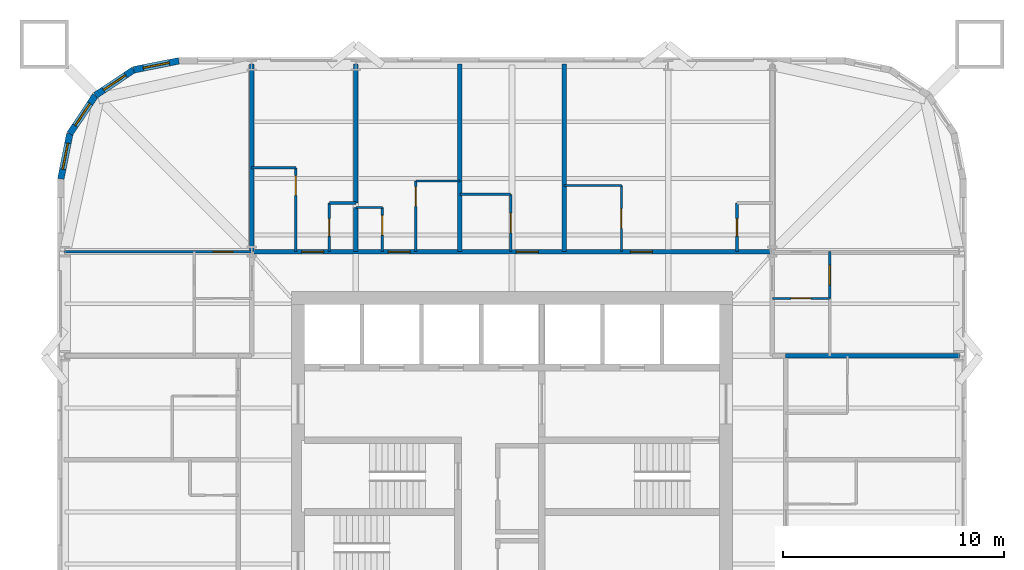
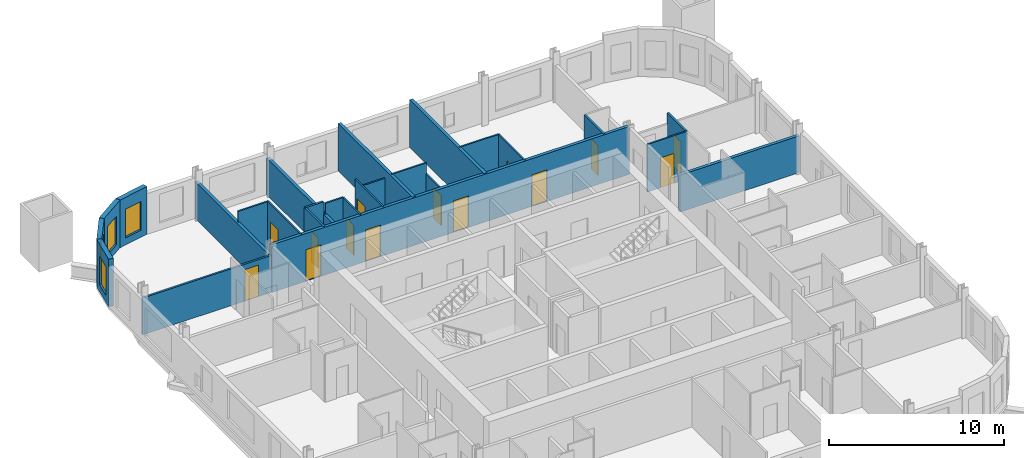
# One storey, part 7 of 9: 27 walls, 14 doors, 4 windows, 18 openings.
"""IFC4 building model written with IfcOpenShell, lengths in metres."""

from ifc_helpers import new_model, si_unit, direction, frame, frame_2d, origin, place, context, subcontext, project, spatial, rectangle, extrude, material, layer, layer_set, type_object, element, fill, save


model = new_model("IFC4")

# Units and contexts
model_context = context("Model", 3, precision=1e-05, world=origin(), true_north=direction((0.0, 1.0)))
body_context = subcontext(model_context, "Body", "Model", "MODEL_VIEW")
ifc_project = project(units=[si_unit("LENGTHUNIT", "METRE"), si_unit("AREAUNIT", "SQUARE_METRE"), si_unit("VOLUMEUNIT", "CUBIC_METRE"), si_unit("PLANEANGLEUNIT", "RADIAN"), si_unit("MASSUNIT", "GRAM", prefix="KILO")], contexts=[model_context])

# Site, building, storey
site_placement = place(None, origin())
site = spatial("IfcSite", under=ifc_project, at=site_placement, CompositionType="ELEMENT")
building_placement = place(site_placement, origin())
building = spatial("IfcBuilding", under=site, at=building_placement, Name="Turquesa Mirador Hotel Tower", CompositionType="ELEMENT")
storey_placement = place(building_placement, frame((0.0, 0.0, 114.39990234375)))
storey = spatial("IfcBuildingStorey", under=building, at=storey_placement, Name="L30", CompositionType="ELEMENT", Elevation=114.39990234375)

# Walls
ifc_material_1 = material(Name="Gypsum board on steel studs", Category="steel")
ifc_layer_1 = layer(ifc_material_1, 0.10009765625)
ifc_layer_set_1 = layer_set([ifc_layer_1], Name="BATHROOM WALL 100")
wall_type_1 = type_object("IfcWallType", Name="BATHROOM WALL 100", PredefinedType="PARTITIONING", material=ifc_layer_set_1)
wall_1_placement = place(storey_placement, frame((47.919921875, 58.800048828125, 0.0), z_axis=(0.0, 0.0, 1.0), x_axis=(1.0, 0.0, 0.0)))
element("IfcWall", 1, at=wall_1_placement, inside=storey, type_object=wall_type_1, Name="Partition L30 024", PredefinedType="PARTITIONING", context=body_context, shape_type="SweptSolid", body=[
    extrude(rectangle(XDim=1.2001953125, YDim=0.10009765625, at=frame_2d((0.60009765625, 0.0))), origin(), (0.0, 0.0, 1.0), 3.330078125),
])
wall_2_placement = place(storey_placement, frame((52.639892578125, 59.39990234375, 0.0), z_axis=(0.0, 0.0, 1.0), x_axis=(1.0, 0.0, 0.0)))
element("IfcWall", 2, at=wall_2_placement, inside=storey, type_object=wall_type_1, Name="Partition L30 027", PredefinedType="PARTITIONING", context=body_context, shape_type="SweptSolid", body=[
    extrude(rectangle(XDim=2.300048828125, YDim=0.10009765625, at=frame_2d((1.14990234375, 0.0))), origin(), (0.0, 0.0, 1.0), 3.330078125),
])
wall_3_placement = place(storey_placement, frame((57.360107421875, 59.800048828125, 0.0), z_axis=(0.0, 0.0, 1.0), x_axis=(1.0, 0.0, 0.0)))
element("IfcWall", 3, at=wall_3_placement, inside=storey, type_object=wall_type_1, Name="Partition L30 028", PredefinedType="PARTITIONING", context=body_context, shape_type="SweptSolid", body=[
    extrude(rectangle(XDim=2.599853515625, YDim=0.10009765625, at=frame_2d((1.2998046875, 0.0))), origin(), (0.0, 0.0, 1.0), 3.330078125),
])
wall_4_placement = place(storey_placement, frame((50.639892578125, 60.0, 0.0), z_axis=(0.0, 0.0, 1.0), x_axis=(1.0, 0.0, 0.0)))
element("IfcWall", 4, at=wall_4_placement, inside=storey, type_object=wall_type_1, Name="Partition L30 029", PredefinedType="PARTITIONING", context=body_context, shape_type="SweptSolid", body=[
    extrude(rectangle(XDim=2.0, YDim=0.10009765625, at=frame_2d((1.0, 0.0))), origin(), (0.0, 0.0, 1.0), 2.730712890625),
])
wall_5_placement = place(storey_placement, frame((43.199951171875, 60.60009765625, 0.0), z_axis=(0.0, 0.0, 1.0), x_axis=(1.0, 0.0, 0.0)))
element("IfcWall", 5, at=wall_5_placement, inside=storey, type_object=wall_type_1, Name="Partition L30 030", PredefinedType="PARTITIONING", context=body_context, shape_type="SweptSolid", body=[
    extrude(rectangle(XDim=2.0, YDim=0.10009765625, at=frame_2d((1.0, 0.0))), origin(), (0.0, 0.0, 1.0), 3.330078125),
])

# Wall, opening, door
wall_6_placement = place(storey_placement, frame((66.800048828125, 54.679931640625, 0.0), z_axis=(0.0, 0.0, 1.0), x_axis=(1.0, 0.0, 0.0)))
wall_6 = element("IfcWall", 6, at=wall_6_placement, inside=storey, type_object=wall_type_1, Name="Partition L30 040", PredefinedType="PARTITIONING", context=body_context, shape_type="SweptSolid", body=[
    extrude(rectangle(XDim=2.599853515625, YDim=0.10009765625, at=frame_2d((1.2998046875, 0.0))), origin(), (0.0, 0.0, 1.0), 3.330078125),
])
opening_1_placement = place(wall_6_placement, frame((0.85009765625, 0.0, 0.0)))
opening_1 = element("IfcOpeningElement", 7, at=opening_1_placement, cuts=wall_6, Name="Opening D02", PredefinedType="OPENING", context=body_context, shape_type="SweptSolid", body=[
    extrude(rectangle(XDim=0.89990234375, YDim=2.10009765625, at=frame_2d((0.449951171875, 1.050048828125))), frame((0.0, 0.06005859375, 0.0), z_axis=(0.0, -1.0, 0.0), x_axis=(1.0, 0.0, 0.0)), (0.0, 0.0, 1.0), 0.1201171875),
])
ifc_material_2 = material(Name="Timber veneered door", Category="wood")
door_type_1 = type_object("IfcDoorType", Name="DOOR 900X2100 EN-SUITE", OperationType="SINGLE_SWING_RIGHT", PredefinedType="DOOR", material=ifc_material_2)
door_1_placement = place(opening_1_placement, origin())
door_1 = element("IfcDoor", 8, at=door_1_placement, inside=storey, type_object=door_type_1, Name="Door 3013B", OperationType="SINGLE_SWING_RIGHT", OverallHeight=2.10009765625, OverallWidth=0.89990234375, PredefinedType="DOOR", context=body_context, shape_type="SweptSolid", body=[
    extrude(rectangle(XDim=0.89990234375, YDim=2.10009765625, at=frame_2d((0.449951171875, 1.050048828125))), frame((0.0, 0.02490234375, 0.0), z_axis=(0.0, -1.0, 0.0), x_axis=(1.0, 0.0, 0.0)), (0.0, 0.0, 1.0), 0.050048828125),
])
fill(opening_1, door_1)

wall_7_placement = place(storey_placement, frame((54.93994140625, 56.800048828125, 0.0), z_axis=(0.0, 0.0, 1.0), x_axis=(0.0, 1.0, 0.0)))
wall_7 = element("IfcWall", 9, at=wall_7_placement, inside=storey, type_object=wall_type_1, Name="Partition L30 041", PredefinedType="PARTITIONING", context=body_context, shape_type="SweptSolid", body=[
    extrude(rectangle(XDim=2.599853515625, YDim=0.10009765625, at=frame_2d((1.2998046875, 0.0))), origin(), (0.0, 0.0, 1.0), 2.5732421875),
])
opening_2_placement = place(wall_7_placement, frame((0.85009765625, 0.0, 0.0)))
opening_2 = element("IfcOpeningElement", 10, at=opening_2_placement, cuts=wall_7, Name="Opening D02", PredefinedType="OPENING", context=body_context, shape_type="SweptSolid", body=[
    extrude(rectangle(XDim=0.89990234375, YDim=2.10009765625, at=frame_2d((0.449951171875, 1.050048828125))), frame((0.0, 0.06005859375, 0.0), z_axis=(0.0, -1.0, 0.0), x_axis=(1.0, 0.0, 0.0)), (0.0, 0.0, 1.0), 0.1201171875),
])
door_2_placement = place(opening_2_placement, origin())
door_2 = element("IfcDoor", 11, at=door_2_placement, inside=storey, type_object=door_type_1, Name="Door 3003B", OperationType="SINGLE_SWING_RIGHT", OverallHeight=2.10009765625, OverallWidth=0.89990234375, PredefinedType="DOOR", context=body_context, shape_type="SweptSolid", body=[
    extrude(rectangle(XDim=0.89990234375, YDim=2.10009765625, at=frame_2d((0.449951171875, 1.050048828125))), frame((0.0, 0.02490234375, 0.0), z_axis=(0.0, -1.0, 0.0), x_axis=(1.0, 0.0, 0.0)), (0.0, 0.0, 1.0), 0.050048828125),
])
fill(opening_2, door_2)

wall_8_placement = place(storey_placement, frame((50.639892578125, 56.800048828125, 0.0), z_axis=(0.0, 0.0, 1.0), x_axis=(0.0, 1.0, 0.0)))
wall_8 = element("IfcWall", 12, at=wall_8_placement, inside=storey, type_object=wall_type_1, Name="Partition L30 055", PredefinedType="PARTITIONING", context=body_context, shape_type="SweptSolid", body=[
    extrude(rectangle(XDim=3.199951171875, YDim=0.10009765625, at=frame_2d((1.60009765625, 0.0))), origin(), (0.0, 0.0, 1.0), 3.330078125),
])
opening_3_placement = place(wall_8_placement, frame((2.050048828125, 0.0, 0.0)))
opening_3 = element("IfcOpeningElement", 13, at=opening_3_placement, cuts=wall_8, Name="Opening D02", PredefinedType="OPENING", context=body_context, shape_type="SweptSolid", body=[
    extrude(rectangle(XDim=0.89990234375, YDim=2.10009765625, at=frame_2d((0.449951171875, 1.050048828125))), frame((0.0, 0.06005859375, 0.0), z_axis=(0.0, -1.0, 0.0), x_axis=(1.0, 0.0, 0.0)), (0.0, 0.0, 1.0), 0.1201171875),
])
door_3_placement = place(opening_3_placement, origin())
door_3 = element("IfcDoor", 14, at=door_3_placement, inside=storey, type_object=door_type_1, Name="Door 3002B", OperationType="SINGLE_SWING_RIGHT", OverallHeight=2.10009765625, OverallWidth=0.89990234375, PredefinedType="DOOR", context=body_context, shape_type="SweptSolid", body=[
    extrude(rectangle(XDim=0.89990234375, YDim=2.10009765625, at=frame_2d((0.449951171875, 1.050048828125))), frame((0.0, 0.02490234375, 0.0), z_axis=(0.0, -1.0, 0.0), x_axis=(1.0, 0.0, 0.0)), (0.0, 0.0, 1.0), 0.050048828125),
])
fill(opening_3, door_3)

wall_9_placement = place(storey_placement, frame((49.1201171875, 56.800048828125, 0.0), z_axis=(0.0, 0.0, 1.0), x_axis=(0.0, 1.0, 0.0)))
wall_9 = element("IfcWall", 15, at=wall_9_placement, inside=storey, type_object=wall_type_1, Name="Partition L30 057", PredefinedType="PARTITIONING", context=body_context, shape_type="SweptSolid", body=[
    extrude(rectangle(XDim=2.0, YDim=0.10009765625, at=frame_2d((1.0, 0.0))), origin(), (0.0, 0.0, 1.0), 3.330078125),
])
opening_4_placement = place(wall_9_placement, frame((0.75, 0.0, 0.0)))
opening_4 = element("IfcOpeningElement", 16, at=opening_4_placement, cuts=wall_9, Name="Opening D06", PredefinedType="OPENING", context=body_context, shape_type="SweptSolid", body=[
    extrude(rectangle(XDim=0.89990234375, YDim=2.10009765625, at=frame_2d((0.449951171875, 1.050048828125))), frame((0.0, 0.06005859375, 0.0), z_axis=(0.0, -1.0, 0.0), x_axis=(1.0, 0.0, 0.0)), (0.0, 0.0, 1.0), 0.1201171875),
])
ifc_material_3 = material(Name="Laminate door", Category="wood")
door_type_2 = type_object("IfcDoorType", Name="DOOR 900X2100 WC", OperationType="SINGLE_SWING_LEFT", PredefinedType="DOOR", material=ifc_material_3)
door_4_placement = place(opening_4_placement, origin())
door_4 = element("IfcDoor", 17, at=door_4_placement, inside=storey, type_object=door_type_2, Name="Door 3002W", OperationType="SINGLE_SWING_LEFT", OverallHeight=2.10009765625, OverallWidth=0.89990234375, PredefinedType="DOOR", context=body_context, shape_type="SweptSolid", body=[
    extrude(rectangle(XDim=0.89990234375, YDim=2.10009765625, at=frame_2d((0.449951171875, 1.050048828125))), frame((0.0, 0.02490234375, 0.0), z_axis=(0.0, -1.0, 0.0), x_axis=(1.0, 0.0, 0.0)), (0.0, 0.0, 1.0), 0.050048828125),
])
fill(opening_4, door_4)

wall_10_placement = place(storey_placement, frame((45.199951171875, 56.800048828125, 0.0), z_axis=(0.0, 0.0, 1.0), x_axis=(0.0, 1.0, 0.0)))
wall_10 = element("IfcWall", 18, at=wall_10_placement, inside=storey, type_object=wall_type_1, Name="Partition L30 063", PredefinedType="PARTITIONING", context=body_context, shape_type="SweptSolid", body=[
    extrude(rectangle(XDim=3.800048828125, YDim=0.10009765625, at=frame_2d((1.89990234375, 0.0))), origin(), (0.0, 0.0, 1.0), 3.330078125),
])
opening_5_placement = place(wall_10_placement, frame((2.550048828125, 0.0, 0.0)))
opening_5 = element("IfcOpeningElement", 19, at=opening_5_placement, cuts=wall_10, Name="Opening D02", PredefinedType="OPENING", context=body_context, shape_type="SweptSolid", body=[
    extrude(rectangle(XDim=0.89990234375, YDim=2.10009765625, at=frame_2d((0.449951171875, 1.050048828125))), frame((0.0, 0.06005859375, 0.0), z_axis=(0.0, -1.0, 0.0), x_axis=(1.0, 0.0, 0.0)), (0.0, 0.0, 1.0), 0.1201171875),
])
door_5_placement = place(opening_5_placement, origin())
door_5 = element("IfcDoor", 20, at=door_5_placement, inside=storey, type_object=door_type_1, Name="Door 3001B", OperationType="SINGLE_SWING_RIGHT", OverallHeight=2.10009765625, OverallWidth=0.89990234375, PredefinedType="DOOR", context=body_context, shape_type="SweptSolid", body=[
    extrude(rectangle(XDim=0.89990234375, YDim=2.10009765625, at=frame_2d((0.449951171875, 1.050048828125))), frame((0.0, 0.02490234375, 0.0), z_axis=(0.0, -1.0, 0.0), x_axis=(1.0, 0.0, 0.0)), (0.0, 0.0, 1.0), 0.050048828125),
])
fill(opening_5, door_5)

wall_11_placement = place(storey_placement, frame((59.9599609375, 56.800048828125, 0.0), z_axis=(0.0, 0.0, 1.0), x_axis=(0.0, 1.0, 0.0)))
wall_11 = element("IfcWall", 21, at=wall_11_placement, inside=storey, type_object=wall_type_1, Name="Partition L30 081", PredefinedType="PARTITIONING", context=body_context, shape_type="SweptSolid", body=[
    extrude(rectangle(XDim=3.0, YDim=0.10009765625, at=frame_2d((1.5, 0.0))), origin(), (0.0, 0.0, 1.0), 3.330078125),
])
opening_6_placement = place(wall_11_placement, frame((1.050048828125, 0.0, 0.0)))
opening_6 = element("IfcOpeningElement", 22, at=opening_6_placement, cuts=wall_11, Name="Opening D02", PredefinedType="OPENING", context=body_context, shape_type="SweptSolid", body=[
    extrude(rectangle(XDim=0.89990234375, YDim=2.10009765625, at=frame_2d((0.449951171875, 1.050048828125))), frame((0.0, 0.06005859375, 0.0), z_axis=(0.0, -1.0, 0.0), x_axis=(1.0, 0.0, 0.0)), (0.0, 0.0, 1.0), 0.1201171875),
])
door_6_placement = place(opening_6_placement, origin())
door_6 = element("IfcDoor", 23, at=door_6_placement, inside=storey, type_object=door_type_1, Name="Door 3004B", OperationType="SINGLE_SWING_RIGHT", OverallHeight=2.10009765625, OverallWidth=0.89990234375, PredefinedType="DOOR", context=body_context, shape_type="SweptSolid", body=[
    extrude(rectangle(XDim=0.89990234375, YDim=2.10009765625, at=frame_2d((0.449951171875, 1.050048828125))), frame((0.0, 0.02490234375, 0.0), z_axis=(0.0, -1.0, 0.0), x_axis=(1.0, 0.0, 0.0)), (0.0, 0.0, 1.0), 0.050048828125),
])
fill(opening_6, door_6)

# Wall, openings, doors
ifc_material_4 = material(Name="Fire-rated gypsum board on steel studs", Category="steel")
ifc_layer_2 = layer(ifc_material_4, 0.199951171875)
ifc_layer_set_2 = layer_set([ifc_layer_2], Name="CORRIDOR WALL 200")
wall_type_2 = type_object("IfcWallType", Name="CORRIDOR WALL 200", PredefinedType="PARTITIONING", material=ifc_layer_set_2)
wall_12_placement = place(storey_placement, frame((43.199951171875, 56.800048828125, 0.0), z_axis=(0.0, 0.0, 1.0), x_axis=(1.0, 0.0, 0.0)))
wall_12 = element("IfcWall", 24, at=wall_12_placement, inside=storey, type_object=wall_type_2, Name="Partition L30 021", PredefinedType="PARTITIONING", context=body_context, shape_type="SweptSolid", body=[
    extrude(rectangle(XDim=23.60009765625, YDim=0.199951171875, at=frame_2d((11.800048828125, 0.0))), origin(), (0.0, 0.0, 1.0), 3.330078125),
])
opening_7_placement = place(wall_12_placement, frame((2.260009765625, 0.0, 0.0)))
opening_7 = element("IfcOpeningElement", 25, at=opening_7_placement, cuts=wall_12, Name="Opening D01", PredefinedType="OPENING", context=body_context, shape_type="SweptSolid", body=[
    extrude(rectangle(XDim=1.0, YDim=2.199951171875, at=frame_2d((0.5, 1.10009765625))), frame((0.0, 0.10986328125, 0.0), z_axis=(0.0, -1.0, 0.0), x_axis=(1.0, 0.0, 0.0)), (0.0, 0.0, 1.0), 0.219970703125),
])
opening_8_placement = place(wall_12_placement, frame((6.179931640625, 0.0, 0.0)))
opening_8 = element("IfcOpeningElement", 26, at=opening_8_placement, cuts=wall_12, Name="Opening D01", PredefinedType="OPENING", context=body_context, shape_type="SweptSolid", body=[
    extrude(rectangle(XDim=1.0, YDim=2.199951171875, at=frame_2d((0.5, 1.10009765625))), frame((0.0, 0.10986328125, 0.0), z_axis=(0.0, -1.0, 0.0), x_axis=(1.0, 0.0, 0.0)), (0.0, 0.0, 1.0), 0.219970703125),
])
opening_9_placement = place(wall_12_placement, frame((11.989990234375, 0.0, 0.0)))
opening_9 = element("IfcOpeningElement", 27, at=opening_9_placement, cuts=wall_12, Name="Opening D01", PredefinedType="OPENING", context=body_context, shape_type="SweptSolid", body=[
    extrude(rectangle(XDim=1.0, YDim=2.199951171875, at=frame_2d((0.5, 1.10009765625))), frame((0.0, 0.10986328125, 0.0), z_axis=(0.0, -1.0, 0.0), x_axis=(1.0, 0.0, 0.0)), (0.0, 0.0, 1.0), 0.219970703125),
])
opening_10_placement = place(wall_12_placement, frame((17.159912109375, 0.0, 0.0)))
opening_10 = element("IfcOpeningElement", 28, at=opening_10_placement, cuts=wall_12, Name="Opening D01", PredefinedType="OPENING", context=body_context, shape_type="SweptSolid", body=[
    extrude(rectangle(XDim=1.0, YDim=2.199951171875, at=frame_2d((0.5, 1.10009765625))), frame((0.0, 0.10986328125, 0.0), z_axis=(0.0, -1.0, 0.0), x_axis=(1.0, 0.0, 0.0)), (0.0, 0.0, 1.0), 0.219970703125),
])
ifc_material_5 = material(Name="Timber veneered fire door", Category="wood")
door_type_3 = type_object("IfcDoorType", Name="DOOR 1000X2200 GUEST ENTRY", OperationType="SINGLE_SWING_LEFT", PredefinedType="DOOR", material=ifc_material_5)
door_7_placement = place(opening_7_placement, origin())
door_7 = element("IfcDoor", 29, at=door_7_placement, inside=storey, type_object=door_type_3, Name="Door 3001", OperationType="SINGLE_SWING_LEFT", OverallHeight=2.199951171875, OverallWidth=1.0, PredefinedType="DOOR", context=body_context, shape_type="SweptSolid", body=[
    extrude(rectangle(XDim=1.0, YDim=2.199951171875, at=frame_2d((0.5, 1.10009765625))), frame((0.0, 0.02490234375, 0.0), z_axis=(0.0, -1.0, 0.0), x_axis=(1.0, 0.0, 0.0)), (0.0, 0.0, 1.0), 0.050048828125),
])
fill(opening_7, door_7)
door_8_placement = place(opening_8_placement, origin())
door_8 = element("IfcDoor", 30, at=door_8_placement, inside=storey, type_object=door_type_3, Name="Door 3002", OperationType="SINGLE_SWING_LEFT", OverallHeight=2.199951171875, OverallWidth=1.0, PredefinedType="DOOR", context=body_context, shape_type="SweptSolid", body=[
    extrude(rectangle(XDim=1.0, YDim=2.199951171875, at=frame_2d((0.5, 1.10009765625))), frame((0.0, 0.02490234375, 0.0), z_axis=(0.0, -1.0, 0.0), x_axis=(1.0, 0.0, 0.0)), (0.0, 0.0, 1.0), 0.050048828125),
])
fill(opening_8, door_8)
door_9_placement = place(opening_9_placement, origin())
door_9 = element("IfcDoor", 31, at=door_9_placement, inside=storey, type_object=door_type_3, Name="Door 3003", OperationType="SINGLE_SWING_LEFT", OverallHeight=2.199951171875, OverallWidth=1.0, PredefinedType="DOOR", context=body_context, shape_type="SweptSolid", body=[
    extrude(rectangle(XDim=1.0, YDim=2.199951171875, at=frame_2d((0.5, 1.10009765625))), frame((0.0, 0.02490234375, 0.0), z_axis=(0.0, -1.0, 0.0), x_axis=(1.0, 0.0, 0.0)), (0.0, 0.0, 1.0), 0.050048828125),
])
fill(opening_9, door_9)
door_10_placement = place(opening_10_placement, origin())
door_10 = element("IfcDoor", 32, at=door_10_placement, inside=storey, type_object=door_type_3, Name="Door 3004", OperationType="SINGLE_SWING_LEFT", OverallHeight=2.199951171875, OverallWidth=1.0, PredefinedType="DOOR", context=body_context, shape_type="SweptSolid", body=[
    extrude(rectangle(XDim=1.0, YDim=2.199951171875, at=frame_2d((0.5, 1.10009765625))), frame((0.0, 0.02490234375, 0.0), z_axis=(0.0, -1.0, 0.0), x_axis=(1.0, 0.0, 0.0)), (0.0, 0.0, 1.0), 0.050048828125),
])
fill(opening_10, door_10)

# Wall, opening, window
ifc_material_6 = material(Name="Limestone cladding on concrete block", Category="masonry")
ifc_layer_3 = layer(ifc_material_6, 0.300048828125)
ifc_layer_set_3 = layer_set([ifc_layer_3], Name="FACADE WALL 300 STONE SCREEN")
wall_type_3 = type_object("IfcWallType", Name="FACADE WALL 300 STONE SCREEN", PredefinedType="SOLIDWALL", material=ifc_layer_set_3)
wall_13_placement = place(storey_placement, frame((39.89990234375, 65.449951171875, 0.0), z_axis=(0.0, 0.0, 1.0), x_axis=(-0.980787050784, -0.195081421501, 0.0)))
wall_13 = element("IfcWall", 33, at=wall_13_placement, inside=storey, type_object=wall_type_3, Name="Facade wall L30 10", PredefinedType="SOLIDWALL", context=body_context, shape_type="SweptSolid", body=[
    extrude(rectangle(XDim=2.08740234375, YDim=0.300048828125, at=frame_2d((1.043701171875, 0.0))), origin(), (0.0, 0.0, 1.0), 3.330078125),
])
opening_11_placement = place(wall_13_placement, frame((0.443603515625, 0.0, 0.5)))
opening_11 = element("IfcOpeningElement", 34, at=opening_11_placement, cuts=wall_13, Name="Opening WN4", PredefinedType="OPENING", context=body_context, shape_type="SweptSolid", body=[
    extrude(rectangle(XDim=1.199951171875, YDim=2.0, at=frame_2d((0.60009765625, 1.0))), frame((0.0, 0.159912109375, 0.0), z_axis=(0.0, -1.0, 0.0), x_axis=(1.0, 0.0, 0.0)), (0.0, 0.0, 1.0), 0.320068359375),
])
ifc_material_7 = material(Name="Ceramic-fritted laminated glass", Category="glass")
window_type = type_object("IfcWindowType", Name="FRITTED CORNER WINDOW 1200X2000", PartitioningType="DOUBLE_PANEL_HORIZONTAL", PredefinedType="WINDOW", material=ifc_material_7)
window_1_placement = place(opening_11_placement, origin())
window_1 = element("IfcWindow", 35, at=window_1_placement, inside=storey, type_object=window_type, Name="Window L30", OverallHeight=2.0, OverallWidth=1.199951171875, PartitioningType="SINGLE_PANEL", PredefinedType="WINDOW", context=body_context, shape_type="SweptSolid", body=[
    extrude(rectangle(XDim=1.199951171875, YDim=2.0, at=frame_2d((0.60009765625, 1.0))), frame((0.0, 0.030029296875, 0.0), z_axis=(0.0, -1.0, 0.0), x_axis=(1.0, 0.0, 0.0)), (0.0, 0.0, 1.0), 0.06005859375),
])
fill(opening_11, window_1)

wall_14_placement = place(storey_placement, frame((37.8525390625, 65.042724609375, 0.0), z_axis=(0.0, 0.0, 1.0), x_axis=(-0.831474039234, -0.555563607591, 0.0)))
wall_14 = element("IfcWall", 36, at=wall_14_placement, inside=storey, type_object=wall_type_3, Name="Facade wall L30 11", PredefinedType="SOLIDWALL", context=body_context, shape_type="SweptSolid", body=[
    extrude(rectangle(XDim=2.08740234375, YDim=0.300048828125, at=frame_2d((1.043701171875, 0.0))), origin(), (0.0, 0.0, 1.0), 3.330078125),
])
opening_12_placement = place(wall_14_placement, frame((0.443603515625, 0.0, 0.5)))
opening_12 = element("IfcOpeningElement", 37, at=opening_12_placement, cuts=wall_14, Name="Opening WN4", PredefinedType="OPENING", context=body_context, shape_type="SweptSolid", body=[
    extrude(rectangle(XDim=1.199951171875, YDim=2.0, at=frame_2d((0.60009765625, 1.0))), frame((0.0, 0.159912109375, 0.0), z_axis=(0.0, -1.0, 0.0), x_axis=(1.0, 0.0, 0.0)), (0.0, 0.0, 1.0), 0.320068359375),
])
window_2_placement = place(opening_12_placement, origin())
window_2 = element("IfcWindow", 38, at=window_2_placement, inside=storey, type_object=window_type, Name="Window L30", OverallHeight=2.0, OverallWidth=1.199951171875, PartitioningType="SINGLE_PANEL", PredefinedType="WINDOW", context=body_context, shape_type="SweptSolid", body=[
    extrude(rectangle(XDim=1.199951171875, YDim=2.0, at=frame_2d((0.60009765625, 1.0))), frame((0.0, 0.030029296875, 0.0), z_axis=(0.0, -1.0, 0.0), x_axis=(1.0, 0.0, 0.0)), (0.0, 0.0, 1.0), 0.06005859375),
])
fill(opening_12, window_2)

wall_15_placement = place(storey_placement, frame((36.116943359375, 63.883056640625, 0.0), z_axis=(0.0, 0.0, 1.0), x_axis=(-0.555563607591, -0.831474039234, 0.0)))
wall_15 = element("IfcWall", 39, at=wall_15_placement, inside=storey, type_object=wall_type_3, Name="Facade wall L30 12", PredefinedType="SOLIDWALL", context=body_context, shape_type="SweptSolid", body=[
    extrude(rectangle(XDim=2.08740234375, YDim=0.300048828125, at=frame_2d((1.043701171875, 0.0))), origin(), (0.0, 0.0, 1.0), 3.330078125),
])
opening_13_placement = place(wall_15_placement, frame((0.443603515625, 0.0, 0.5)))
opening_13 = element("IfcOpeningElement", 40, at=opening_13_placement, cuts=wall_15, Name="Opening WN4", PredefinedType="OPENING", context=body_context, shape_type="SweptSolid", body=[
    extrude(rectangle(XDim=1.199951171875, YDim=2.0, at=frame_2d((0.60009765625, 1.0))), frame((0.0, 0.159912109375, 0.0), z_axis=(0.0, -1.0, 0.0), x_axis=(1.0, 0.0, 0.0)), (0.0, 0.0, 1.0), 0.320068359375),
])
window_3_placement = place(opening_13_placement, origin())
window_3 = element("IfcWindow", 41, at=window_3_placement, inside=storey, type_object=window_type, Name="Window L30", OverallHeight=2.0, OverallWidth=1.199951171875, PartitioningType="SINGLE_PANEL", PredefinedType="WINDOW", context=body_context, shape_type="SweptSolid", body=[
    extrude(rectangle(XDim=1.199951171875, YDim=2.0, at=frame_2d((0.60009765625, 1.0))), frame((0.0, 0.030029296875, 0.0), z_axis=(0.0, -1.0, 0.0), x_axis=(1.0, 0.0, 0.0)), (0.0, 0.0, 1.0), 0.06005859375),
])
fill(opening_13, window_3)

wall_16_placement = place(storey_placement, frame((34.957275390625, 62.1474609375, 0.0), z_axis=(0.0, 0.0, 1.0), x_axis=(-0.195081421501, -0.980787050784, 0.0)))
wall_16 = element("IfcWall", 42, at=wall_16_placement, inside=storey, type_object=wall_type_3, Name="Facade wall L30 13", PredefinedType="SOLIDWALL", context=body_context, shape_type="SweptSolid", body=[
    extrude(rectangle(XDim=2.08740234375, YDim=0.300048828125, at=frame_2d((1.043701171875, 0.0))), origin(), (0.0, 0.0, 1.0), 3.330078125),
])
opening_14_placement = place(wall_16_placement, frame((0.443603515625, 0.0, 0.5)))
opening_14 = element("IfcOpeningElement", 43, at=opening_14_placement, cuts=wall_16, Name="Opening WN4", PredefinedType="OPENING", context=body_context, shape_type="SweptSolid", body=[
    extrude(rectangle(XDim=1.199951171875, YDim=2.0, at=frame_2d((0.60009765625, 1.0))), frame((0.0, 0.159912109375, 0.0), z_axis=(0.0, -1.0, 0.0), x_axis=(1.0, 0.0, 0.0)), (0.0, 0.0, 1.0), 0.320068359375),
])
window_4_placement = place(opening_14_placement, origin())
window_4 = element("IfcWindow", 44, at=window_4_placement, inside=storey, type_object=window_type, Name="Window L30", OverallHeight=2.0, OverallWidth=1.199951171875, PartitioningType="SINGLE_PANEL", PredefinedType="WINDOW", context=body_context, shape_type="SweptSolid", body=[
    extrude(rectangle(XDim=1.199951171875, YDim=2.0, at=frame_2d((0.60009765625, 1.0))), frame((0.0, 0.030029296875, 0.0), z_axis=(0.0, -1.0, 0.0), x_axis=(1.0, 0.0, 0.0)), (0.0, 0.0, 1.0), 0.06005859375),
])
fill(opening_14, window_4)

# Walls
ifc_material_8 = material(Name="Fire-rated gypsum board on steel studs", Category="steel")
ifc_layer_4 = layer(ifc_material_8, 0.199951171875)
ifc_layer_set_4 = layer_set([ifc_layer_4], Name="PARTY WALL 200")
wall_type_4 = type_object("IfcWallType", Name="PARTY WALL 200", PredefinedType="PARTITIONING", material=ifc_layer_set_4)
wall_17_placement = place(storey_placement, frame((67.39990234375, 52.080078125, 0.0), z_axis=(0.0, 0.0, 1.0), x_axis=(1.0, 0.0, 0.0)))
element("IfcWall", 45, at=wall_17_placement, inside=storey, type_object=wall_type_4, Name="Partition L30 038", PredefinedType="PARTITIONING", context=body_context, shape_type="SweptSolid", body=[
    extrude(rectangle(XDim=7.900146484375, YDim=0.199951171875, at=frame_2d((3.9501953125, 0.0))), origin(), (0.0, 0.0, 1.0), 2.5732421875),
])
wall_18_placement = place(storey_placement, frame((43.199951171875, 56.800048828125, 0.0), z_axis=(0.0, 0.0, 1.0), x_axis=(0.0, 1.0, 0.0)))
element("IfcWall", 46, at=wall_18_placement, inside=storey, type_object=wall_type_4, Name="Partition L30 045", PredefinedType="PARTITIONING", context=body_context, shape_type="SweptSolid", body=[
    extrude(rectangle(XDim=8.5, YDim=0.199951171875, at=frame_2d((4.25, 0.0))), origin(), (0.0, 0.0, 1.0), 2.5732421875),
])
wall_19_placement = place(storey_placement, frame((52.639892578125, 56.800048828125, 0.0), z_axis=(0.0, 0.0, 1.0), x_axis=(0.0, 1.0, 0.0)))
element("IfcWall", 47, at=wall_19_placement, inside=storey, type_object=wall_type_4, Name="Partition L30 054", PredefinedType="PARTITIONING", context=body_context, shape_type="SweptSolid", body=[
    extrude(rectangle(XDim=8.5, YDim=0.199951171875, at=frame_2d((4.25, 0.0))), origin(), (0.0, 0.0, 1.0), 3.330078125),
])
wall_20_placement = place(storey_placement, frame((47.919921875, 56.800048828125, 0.0), z_axis=(0.0, 0.0, 1.0), x_axis=(0.0, 1.0, 0.0)))
element("IfcWall", 48, at=wall_20_placement, inside=storey, type_object=wall_type_4, Name="Partition L30 059", PredefinedType="PARTITIONING", context=body_context, shape_type="SweptSolid", body=[
    extrude(rectangle(XDim=2.0, YDim=0.199951171875, at=frame_2d((1.0, 0.0))), origin(), (0.0, 0.0, 1.0), 2.5732421875),
])
wall_21_placement = place(storey_placement, frame((47.919921875, 59.0, 0.0), z_axis=(0.0, 0.0, 1.0), x_axis=(0.0, 1.0, 0.0)))
element("IfcWall", 49, at=wall_21_placement, inside=storey, type_object=wall_type_4, Name="Partition L30 060", PredefinedType="PARTITIONING", context=body_context, shape_type="SweptSolid", body=[
    extrude(rectangle(XDim=6.300048828125, YDim=0.199951171875, at=frame_2d((3.14990234375, 0.0))), origin(), (0.0, 0.0, 1.0), 2.5732421875),
])
wall_22_placement = place(storey_placement, frame((57.360107421875, 56.800048828125, 0.0), z_axis=(0.0, 0.0, 1.0), x_axis=(0.0, 1.0, 0.0)))
element("IfcWall", 50, at=wall_22_placement, inside=storey, type_object=wall_type_4, Name="Partition L30 078", PredefinedType="PARTITIONING", context=body_context, shape_type="SweptSolid", body=[
    extrude(rectangle(XDim=8.5, YDim=0.199951171875, at=frame_2d((4.25, 0.0))), origin(), (0.0, 0.0, 1.0), 3.330078125),
])

# Wall, opening, door
ifc_material_9 = material(Name="Acoustic gypsum board on steel studs", Category="steel")
ifc_layer_5 = layer(ifc_material_9, 0.125)
ifc_layer_set_5 = layer_set([ifc_layer_5], Name="SUITE PARTITION 125")
wall_type_5 = type_object("IfcWallType", Name="SUITE PARTITION 125", PredefinedType="PARTITIONING", material=ifc_layer_set_5)
wall_23_placement = place(storey_placement, frame((34.699951171875, 56.800048828125, 0.0), z_axis=(0.0, 0.0, 1.0), x_axis=(1.0, 0.0, 0.0)))
wall_23 = element("IfcWall", 51, at=wall_23_placement, inside=storey, type_object=wall_type_5, Name="Partition L30 022", PredefinedType="PARTITIONING", context=body_context, shape_type="SweptSolid", body=[
    extrude(rectangle(XDim=8.5, YDim=0.125, at=frame_2d((4.25, 0.0))), origin(), (0.0, 0.0, 1.0), 2.5732421875),
])
opening_15_placement = place(wall_23_placement, frame((6.75, 0.0, 0.0)))
opening_15 = element("IfcOpeningElement", 52, at=opening_15_placement, cuts=wall_23, Name="Opening D17", PredefinedType="OPENING", context=body_context, shape_type="SweptSolid", body=[
    extrude(rectangle(XDim=0.89990234375, YDim=2.199951171875, at=frame_2d((0.449951171875, 1.10009765625))), frame((0.0, 0.072509765625, 0.0), z_axis=(0.0, -1.0, 0.0), x_axis=(1.0, 0.0, 0.0)), (0.0, 0.0, 1.0), 0.14501953125),
])
ifc_material_10 = material(Name="Timber veneered door", Category="wood")
door_type_4 = type_object("IfcDoorType", Name="DOOR 900X2200 SUITE INTERNAL", OperationType="SINGLE_SWING_LEFT", PredefinedType="DOOR", material=ifc_material_10)
door_11_placement = place(opening_15_placement, origin())
door_11 = element("IfcDoor", 53, at=door_11_placement, inside=storey, type_object=door_type_4, Name="Door 3014", OperationType="SINGLE_SWING_LEFT", OverallHeight=2.199951171875, OverallWidth=0.89990234375, PredefinedType="DOOR", context=body_context, shape_type="SweptSolid", body=[
    extrude(rectangle(XDim=0.89990234375, YDim=2.199951171875, at=frame_2d((0.449951171875, 1.10009765625))), frame((0.0, 0.02490234375, 0.0), z_axis=(0.0, -1.0, 0.0), x_axis=(1.0, 0.0, 0.0)), (0.0, 0.0, 1.0), 0.050048828125),
])
fill(opening_15, door_11)

# Wall
wall_24_placement = place(storey_placement, frame((46.719970703125, 59.0, 0.0), z_axis=(0.0, 0.0, 1.0), x_axis=(1.0, 0.0, 0.0)))
element("IfcWall", 54, at=wall_24_placement, inside=storey, type_object=wall_type_5, Name="Partition L30 025", PredefinedType="PARTITIONING", context=body_context, shape_type="SweptSolid", body=[
    extrude(rectangle(XDim=1.199951171875, YDim=0.125, at=frame_2d((0.60009765625, 0.0))), origin(), (0.0, 0.0, 1.0), 3.330078125),
])

# Wall, opening, door
wall_25_placement = place(storey_placement, frame((46.719970703125, 56.800048828125, 0.0), z_axis=(0.0, 0.0, 1.0), x_axis=(0.0, 1.0, 0.0)))
wall_25 = element("IfcWall", 55, at=wall_25_placement, inside=storey, type_object=wall_type_5, Name="Partition L30 061", PredefinedType="PARTITIONING", context=body_context, shape_type="SweptSolid", body=[
    extrude(rectangle(XDim=2.199951171875, YDim=0.125, at=frame_2d((1.10009765625, 0.0))), origin(), (0.0, 0.0, 1.0), 3.330078125),
])
opening_16_placement = place(wall_25_placement, frame((0.699951171875, 0.0, 0.0)))
opening_16 = element("IfcOpeningElement", 56, at=opening_16_placement, cuts=wall_25, Name="Opening D20", PredefinedType="OPENING", context=body_context, shape_type="SweptSolid", body=[
    extrude(rectangle(XDim=0.800048828125, YDim=2.10009765625, at=frame_2d((0.39990234375, 1.050048828125))), frame((0.0, 0.072509765625, 0.0), z_axis=(0.0, -1.0, 0.0), x_axis=(1.0, 0.0, 0.0)), (0.0, 0.0, 1.0), 0.14501953125),
])
ifc_material_11 = material(Name="Timber veneered sliding door", Category="wood")
door_type_5 = type_object("IfcDoorType", Name="DOOR 800X2100 WARDROBE", OperationType="SLIDING_TO_LEFT", PredefinedType="DOOR", material=ifc_material_11)
door_12_placement = place(opening_16_placement, origin())
door_12 = element("IfcDoor", 57, at=door_12_placement, inside=storey, type_object=door_type_5, Name="Door 3001W", OperationType="SLIDING_TO_LEFT", OverallHeight=2.10009765625, OverallWidth=0.800048828125, PredefinedType="DOOR", context=body_context, shape_type="SweptSolid", body=[
    extrude(rectangle(XDim=0.800048828125, YDim=2.10009765625, at=frame_2d((0.39990234375, 1.050048828125))), frame((0.0, 0.02490234375, 0.0), z_axis=(0.0, -1.0, 0.0), x_axis=(1.0, 0.0, 0.0)), (0.0, 0.0, 1.0), 0.050048828125),
])
fill(opening_16, door_12)

wall_26_placement = place(storey_placement, frame((65.199951171875, 56.800048828125, 0.0), z_axis=(0.0, 0.0, 1.0), x_axis=(0.0, 1.0, 0.0)))
wall_26 = element("IfcWall", 58, at=wall_26_placement, inside=storey, type_object=wall_type_5, Name="Partition L30 064", PredefinedType="PARTITIONING", context=body_context, shape_type="SweptSolid", body=[
    extrude(rectangle(XDim=2.199951171875, YDim=0.125, at=frame_2d((1.10009765625, 0.0))), origin(), (0.0, 0.0, 1.0), 3.330078125),
])
opening_17_placement = place(wall_26_placement, frame((0.699951171875, 0.0, 0.0)))
opening_17 = element("IfcOpeningElement", 59, at=opening_17_placement, cuts=wall_26, Name="Opening D20", PredefinedType="OPENING", context=body_context, shape_type="SweptSolid", body=[
    extrude(rectangle(XDim=0.800048828125, YDim=2.10009765625, at=frame_2d((0.39990234375, 1.050048828125))), frame((0.0, 0.072509765625, 0.0), z_axis=(0.0, -1.0, 0.0), x_axis=(1.0, 0.0, 0.0)), (0.0, 0.0, 1.0), 0.14501953125),
])
door_13_placement = place(opening_17_placement, origin())
door_13 = element("IfcDoor", 60, at=door_13_placement, inside=storey, type_object=door_type_5, Name="Door 3004W", OperationType="SLIDING_TO_LEFT", OverallHeight=2.10009765625, OverallWidth=0.800048828125, PredefinedType="DOOR", context=body_context, shape_type="SweptSolid", body=[
    extrude(rectangle(XDim=0.800048828125, YDim=2.10009765625, at=frame_2d((0.39990234375, 1.050048828125))), frame((0.0, 0.02490234375, 0.0), z_axis=(0.0, -1.0, 0.0), x_axis=(1.0, 0.0, 0.0)), (0.0, 0.0, 1.0), 0.050048828125),
])
fill(opening_17, door_13)

wall_27_placement = place(storey_placement, frame((69.39990234375, 54.679931640625, 0.0), z_axis=(0.0, 0.0, 1.0), x_axis=(0.0, 1.0, 0.0)))
wall_27 = element("IfcWall", 61, at=wall_27_placement, inside=storey, type_object=wall_type_5, Name="Partition L30 074", PredefinedType="PARTITIONING", context=body_context, shape_type="SweptSolid", body=[
    extrude(rectangle(XDim=2.1201171875, YDim=0.125, at=frame_2d((1.06005859375, 0.0))), origin(), (0.0, 0.0, 1.0), 3.330078125),
])
opening_18_placement = place(wall_27_placement, frame((0.610107421875, 0.0, 0.0)))
opening_18 = element("IfcOpeningElement", 62, at=opening_18_placement, cuts=wall_27, Name="Opening D17", PredefinedType="OPENING", context=body_context, shape_type="SweptSolid", body=[
    extrude(rectangle(XDim=0.89990234375, YDim=2.199951171875, at=frame_2d((0.449951171875, 1.10009765625))), frame((0.0, 0.072509765625, 0.0), z_axis=(0.0, -1.0, 0.0), x_axis=(1.0, 0.0, 0.0)), (0.0, 0.0, 1.0), 0.14501953125),
])
door_14_placement = place(opening_18_placement, origin())
door_14 = element("IfcDoor", 63, at=door_14_placement, inside=storey, type_object=door_type_4, Name="Door 3013R", OperationType="SINGLE_SWING_LEFT", OverallHeight=2.199951171875, OverallWidth=0.89990234375, PredefinedType="DOOR", context=body_context, shape_type="SweptSolid", body=[
    extrude(rectangle(XDim=0.89990234375, YDim=2.199951171875, at=frame_2d((0.449951171875, 1.10009765625))), frame((0.0, 0.02490234375, 0.0), z_axis=(0.0, -1.0, 0.0), x_axis=(1.0, 0.0, 0.0)), (0.0, 0.0, 1.0), 0.050048828125),
])
fill(opening_18, door_14)

save(model, "model.ifc")
